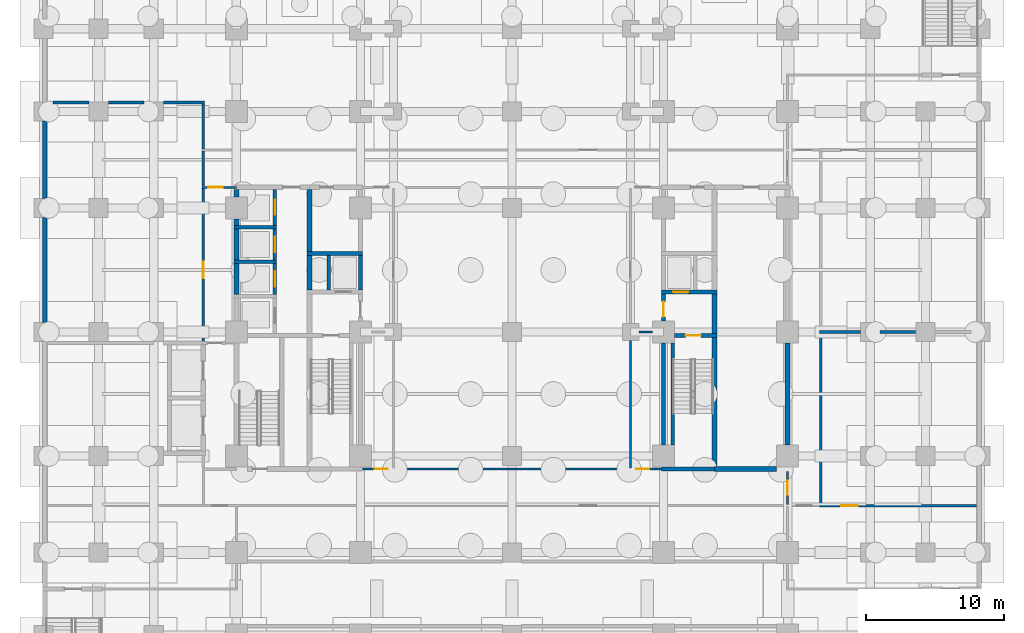
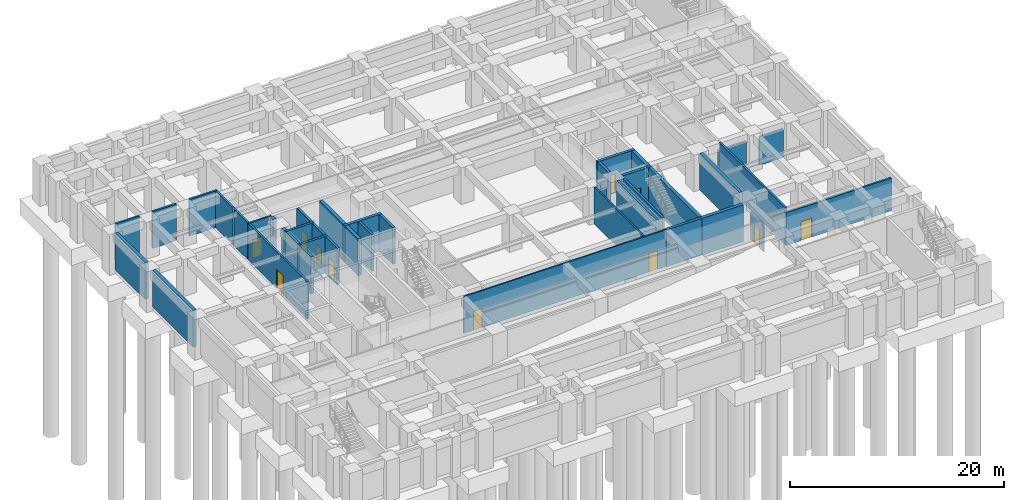
# One storey, part 7 of 16: 41 walls, 12 doors, 12 openings.
"""IFC4 building model written with IfcOpenShell, lengths in metres."""

from ifc_helpers import new_model, si_unit, direction, frame, frame_2d, origin, place, context, subcontext, project, spatial, rectangle, extrude, material, layer, layer_set, type_object, element, fill, save


model = new_model("IFC4")

# Units and contexts
model_context = context("Model", 3, precision=1e-05, world=origin(), true_north=direction((0.0, 1.0)))
body_context = subcontext(model_context, "Body", "Model", "MODEL_VIEW")
ifc_project = project(units=[si_unit("LENGTHUNIT", "METRE"), si_unit("AREAUNIT", "SQUARE_METRE"), si_unit("VOLUMEUNIT", "CUBIC_METRE"), si_unit("PLANEANGLEUNIT", "RADIAN"), si_unit("MASSUNIT", "GRAM", prefix="KILO")], contexts=[model_context])

# Site, building, storey
site_placement = place(None, origin())
site = spatial("IfcSite", under=ifc_project, at=site_placement, CompositionType="ELEMENT")
building_placement = place(site_placement, origin())
building = spatial("IfcBuilding", under=site, at=building_placement, Name="Zulmaris Gate Convention Tower", CompositionType="ELEMENT")
storey_placement = place(building_placement, frame((0.0, 0.0, -9.10009765625)))
storey = spatial("IfcBuildingStorey", under=building, at=storey_placement, Name="B2", CompositionType="ELEMENT", Elevation=-9.10009765625)

# Walls
ifc_material_1 = material(Name="Concrete C50/60", Category="concrete")
ifc_layer_1 = layer(ifc_material_1, 0.25, Name="Concrete C50/60")
ifc_layer_set_1 = layer_set([ifc_layer_1], Name="Concrete C50/60")
wall_type_1 = type_object("IfcWallType", Name="CORE-250", PredefinedType="SOLIDWALL", material=ifc_layer_set_1)
for number, where, z_axis, x_axis, name in (
    (1, (-20.175048828125, 5.10009765625, 0.0), (0.0, 0.0, 1.0), (1.0, 0.0, 0.0), "WL-B2-018"),
    (2, (-20.175048828125, 7.60009765625, 0.0), (0.0, 0.0, 1.0), (1.0, 0.0, 0.0), "WL-B2-021"),
):
    element("IfcWall", number, at=place(storey_placement, frame(where, z_axis=z_axis, x_axis=x_axis)), inside=storey, type_object=wall_type_1, Name=name, PredefinedType="SOLIDWALL", context=body_context, shape_type="SweptSolid", body=[
        extrude(rectangle(XDim=3.10009765625, YDim=0.25, at=frame_2d((1.550048828125, 0.0))), origin(), (0.0, 0.0, 1.0), 4.2001953125),
    ])

# Wall, opening, door
wall_1_placement = place(storey_placement, frame((-17.199951171875, 2.72705078125, 0.0), z_axis=(0.0, 0.0, 1.0), x_axis=(0.0, 1.0, 0.0)))
wall_1 = element("IfcWall", 3, at=wall_1_placement, inside=storey, type_object=wall_type_1, Name="WL-B2-058", PredefinedType="SOLIDWALL", context=body_context, shape_type="SweptSolid", body=[
    extrude(rectangle(XDim=2.245849609375, YDim=0.25, at=frame_2d((1.123046875, 0.0))), origin(), (0.0, 0.0, 1.0), 4.2001953125),
])
opening_1_placement = place(wall_1_placement, frame((0.572998046875, 0.0, 0.0)))
opening_1 = element("IfcOpeningElement", 4, at=opening_1_placement, cuts=wall_1, Name="Opening D-06", PredefinedType="OPENING", context=body_context, shape_type="SweptSolid", body=[
    extrude(rectangle(XDim=1.10009765625, YDim=2.199951171875, at=frame_2d((0.550048828125, 1.10009765625))), frame((0.0, 0.135009765625, 0.0), z_axis=(0.0, -1.0, 0.0), x_axis=(1.0, 0.0, 0.0)), (0.0, 0.0, 1.0), 0.27001953125),
])
ifc_material_2 = material(Name="Brushed Stainless Steel", Category="steel")
door_type_1 = type_object("IfcDoorType", Name="LD-1100", OperationType="NOTDEFINED", PredefinedType="DOOR", material=ifc_material_2)
door_1_placement = place(opening_1_placement, origin())
door_1 = element("IfcDoor", 5, at=door_1_placement, inside=storey, type_object=door_type_1, Name="B2 Lift Landing Door LP-02 12", OperationType="SLIDING_TO_LEFT", OverallHeight=2.199951171875, OverallWidth=1.10009765625, PredefinedType="DOOR", context=body_context, shape_type="SweptSolid", body=[
    extrude(rectangle(XDim=1.10009765625, YDim=2.199951171875, at=frame_2d((0.550048828125, 1.10009765625))), frame((0.0, 0.02490234375, 0.0), z_axis=(0.0, -1.0, 0.0), x_axis=(1.0, 0.0, 0.0)), (0.0, 0.0, 1.0), 0.050048828125),
])
fill(opening_1, door_1)

wall_2_placement = place(storey_placement, frame((-17.199951171875, 5.22705078125, 0.0), z_axis=(0.0, 0.0, 1.0), x_axis=(0.0, 1.0, 0.0)))
wall_2 = element("IfcWall", 6, at=wall_2_placement, inside=storey, type_object=wall_type_1, Name="WL-B2-059", PredefinedType="SOLIDWALL", context=body_context, shape_type="SweptSolid", body=[
    extrude(rectangle(XDim=2.245849609375, YDim=0.25, at=frame_2d((1.123046875, 0.0))), origin(), (0.0, 0.0, 1.0), 4.2001953125),
])
opening_2_placement = place(wall_2_placement, frame((0.572998046875, 0.0, 0.0)))
opening_2 = element("IfcOpeningElement", 7, at=opening_2_placement, cuts=wall_2, Name="Opening D-06", PredefinedType="OPENING", context=body_context, shape_type="SweptSolid", body=[
    extrude(rectangle(XDim=1.10009765625, YDim=2.199951171875, at=frame_2d((0.550048828125, 1.10009765625))), frame((0.0, 0.135009765625, 0.0), z_axis=(0.0, -1.0, 0.0), x_axis=(1.0, 0.0, 0.0)), (0.0, 0.0, 1.0), 0.27001953125),
])
door_2_placement = place(opening_2_placement, origin())
door_2 = element("IfcDoor", 8, at=door_2_placement, inside=storey, type_object=door_type_1, Name="B2 Lift Landing Door LP-03 13", OperationType="SLIDING_TO_LEFT", OverallHeight=2.199951171875, OverallWidth=1.10009765625, PredefinedType="DOOR", context=body_context, shape_type="SweptSolid", body=[
    extrude(rectangle(XDim=1.10009765625, YDim=2.199951171875, at=frame_2d((0.550048828125, 1.10009765625))), frame((0.0, 0.02490234375, 0.0), z_axis=(0.0, -1.0, 0.0), x_axis=(1.0, 0.0, 0.0)), (0.0, 0.0, 1.0), 0.050048828125),
])
fill(opening_2, door_2)

wall_3_placement = place(storey_placement, frame((-17.199951171875, 7.72705078125, 0.0), z_axis=(0.0, 0.0, 1.0), x_axis=(0.0, 1.0, 0.0)))
wall_3 = element("IfcWall", 9, at=wall_3_placement, inside=storey, type_object=wall_type_1, Name="WL-B2-060", PredefinedType="SOLIDWALL", context=body_context, shape_type="SweptSolid", body=[
    extrude(rectangle(XDim=2.595947265625, YDim=0.25, at=frame_2d((1.2978515625, 0.0))), origin(), (0.0, 0.0, 1.0), 4.2001953125),
])
opening_3_placement = place(wall_3_placement, frame((0.77294921875, 0.0, 0.0)))
opening_3 = element("IfcOpeningElement", 10, at=opening_3_placement, cuts=wall_3, Name="Opening D-06", PredefinedType="OPENING", context=body_context, shape_type="SweptSolid", body=[
    extrude(rectangle(XDim=1.10009765625, YDim=2.199951171875, at=frame_2d((0.550048828125, 1.10009765625))), frame((0.0, 0.135009765625, 0.0), z_axis=(0.0, -1.0, 0.0), x_axis=(1.0, 0.0, 0.0)), (0.0, 0.0, 1.0), 0.27001953125),
])
door_3_placement = place(opening_3_placement, origin())
door_3 = element("IfcDoor", 11, at=door_3_placement, inside=storey, type_object=door_type_1, Name="B2 Lift Landing Door LP-04 14", OperationType="SLIDING_TO_LEFT", OverallHeight=2.199951171875, OverallWidth=1.10009765625, PredefinedType="DOOR", context=body_context, shape_type="SweptSolid", body=[
    extrude(rectangle(XDim=1.10009765625, YDim=2.199951171875, at=frame_2d((0.550048828125, 1.10009765625))), frame((0.0, 0.02490234375, 0.0), z_axis=(0.0, -1.0, 0.0), x_axis=(1.0, 0.0, 0.0)), (0.0, 0.0, 1.0), 0.050048828125),
])
fill(opening_3, door_3)

# Walls
wall_4_placement = place(storey_placement, frame((-13.300048828125, 3.052001953125, 0.0), z_axis=(0.0, 0.0, 1.0), x_axis=(0.0, 1.0, 0.0)))
element("IfcWall", 12, at=wall_4_placement, inside=storey, type_object=wall_type_1, Name="WL-B2-066", PredefinedType="SOLIDWALL", context=body_context, shape_type="SweptSolid", body=[
    extrude(rectangle(XDim=2.49609375, YDim=0.25, at=frame_2d((1.248046875, 0.0))), origin(), (0.0, 0.0, 1.0), 4.2001953125),
])
wall_5_placement = place(storey_placement, frame((11.64990234375, -8.196044921875, 0.0), z_axis=(0.0, 0.0, 1.0), x_axis=(0.0, 1.0, 0.0)))
element("IfcWall", 13, at=wall_5_placement, inside=storey, type_object=wall_type_1, Name="WL-B2-076", PredefinedType="SOLIDWALL", context=body_context, shape_type="SweptSolid", body=[
    extrude(rectangle(XDim=7.39208984375, YDim=0.25, at=frame_2d((3.696044921875, 0.0))), origin(), (0.0, 0.0, 1.0), 4.2001953125),
])
ifc_layer_2 = layer(ifc_material_1, 0.300048828125, Name="Concrete C50/60")
ifc_layer_set_2 = layer_set([ifc_layer_2], Name="Concrete C50/60")
wall_type_2 = type_object("IfcWallType", Name="CORE-300", PredefinedType="SHEAR", material=ifc_layer_set_2)
wall_6_placement = place(storey_placement, frame((10.85009765625, -9.949951171875, 0.0), z_axis=(0.0, 0.0, 1.0), x_axis=(1.0, 0.0, 0.0)))
element("IfcWall", 14, at=wall_6_placement, inside=storey, type_object=wall_type_2, Name="WL-B2-008", PredefinedType="SHEAR", context=body_context, shape_type="SweptSolid", body=[
    extrude(rectangle(XDim=3.849853515625, YDim=0.300048828125, at=frame_2d((1.9248046875, 0.0))), origin(), (0.0, 0.0, 1.0), 4.2001953125),
])

# Wall, opening, door
wall_7_placement = place(storey_placement, frame((11.803955078125, -0.25, 0.0), z_axis=(0.0, 0.0, 1.0), x_axis=(1.0, 0.0, 0.0)))
wall_7 = element("IfcWall", 15, at=wall_7_placement, inside=storey, type_object=wall_type_2, Name="WL-B2-014", PredefinedType="SHEAR", context=body_context, shape_type="SweptSolid", body=[
    extrude(rectangle(XDim=3.071044921875, YDim=0.300048828125, at=frame_2d((1.53564453125, 0.0))), origin(), (0.0, 0.0, 1.0), 4.2001953125),
])
opening_4_placement = place(wall_7_placement, frame((0.7958984375, 0.0, 0.0)))
opening_4 = element("IfcOpeningElement", 16, at=opening_4_placement, cuts=wall_7, Name="Opening D-08", PredefinedType="OPENING", context=body_context, shape_type="SweptSolid", body=[
    extrude(rectangle(XDim=1.10009765625, YDim=2.14990234375, at=frame_2d((0.550048828125, 1.074951171875))), frame((0.0, 0.16015625, 0.0), z_axis=(0.0, -1.0, 0.0), x_axis=(1.0, 0.0, 0.0)), (0.0, 0.0, 1.0), 0.320068359375),
])
ifc_material_3 = material(Name="Fire-Rated Steel", Category="steel")
door_type_2 = type_object("IfcDoorType", Name="DR-1100-FD", OperationType="NOTDEFINED", PredefinedType="DOOR", material=ifc_material_3)
door_4_placement = place(opening_4_placement, origin())
door_4 = element("IfcDoor", 17, at=door_4_placement, inside=storey, type_object=door_type_2, Name="B2 Exit Stair ST-2 Door 04", OperationType="SINGLE_SWING_LEFT", OverallHeight=2.14990234375, OverallWidth=1.10009765625, PredefinedType="DOOR", context=body_context, shape_type="SweptSolid", body=[
    extrude(rectangle(XDim=1.10009765625, YDim=2.14990234375, at=frame_2d((0.550048828125, 1.074951171875))), frame((0.0, 0.02490234375, 0.0), z_axis=(0.0, -1.0, 0.0), x_axis=(1.0, 0.0, 0.0)), (0.0, 0.0, 1.0), 0.050048828125),
])
fill(opening_4, door_4)

wall_8_placement = place(storey_placement, frame((10.85009765625, 2.89990234375, 0.0), z_axis=(0.0, 0.0, 1.0), x_axis=(1.0, 0.0, 0.0)))
wall_8 = element("IfcWall", 18, at=wall_8_placement, inside=storey, type_object=wall_type_2, Name="WL-B2-017", PredefinedType="SHEAR", context=body_context, shape_type="SweptSolid", body=[
    extrude(rectangle(XDim=4.02490234375, YDim=0.300048828125, at=frame_2d((2.012451171875, 0.0))), origin(), (0.0, 0.0, 1.0), 4.2001953125),
])
opening_5_placement = place(wall_8_placement, frame((0.85009765625, 0.0, 0.0)))
opening_5 = element("IfcOpeningElement", 19, at=opening_5_placement, cuts=wall_8, Name="Opening D-06", PredefinedType="OPENING", context=body_context, shape_type="SweptSolid", body=[
    extrude(rectangle(XDim=1.10009765625, YDim=2.199951171875, at=frame_2d((0.550048828125, 1.10009765625))), frame((0.0, 0.16015625, 0.0), z_axis=(0.0, -1.0, 0.0), x_axis=(1.0, 0.0, 0.0)), (0.0, 0.0, 1.0), 0.320068359375),
])
door_5_placement = place(opening_5_placement, origin())
door_5 = element("IfcDoor", 20, at=door_5_placement, inside=storey, type_object=door_type_1, Name="B2 Lift Landing Door LF-02 06", OperationType="SLIDING_TO_RIGHT", OverallHeight=2.199951171875, OverallWidth=1.10009765625, PredefinedType="DOOR", context=body_context, shape_type="SweptSolid", body=[
    extrude(rectangle(XDim=1.10009765625, YDim=2.199951171875, at=frame_2d((0.550048828125, 1.10009765625))), frame((0.0, 0.02490234375, 0.0), z_axis=(0.0, -1.0, 0.0), x_axis=(1.0, 0.0, 0.0)), (0.0, 0.0, 1.0), 0.050048828125),
])
fill(opening_5, door_5)

# Walls
wall_9_placement = place(storey_placement, frame((-14.875, 5.699951171875, 0.0), z_axis=(0.0, 0.0, 1.0), x_axis=(1.0, 0.0, 0.0)))
element("IfcWall", 21, at=wall_9_placement, inside=storey, type_object=wall_type_2, Name="WL-B2-019", PredefinedType="SHEAR", context=body_context, shape_type="SweptSolid", body=[
    extrude(rectangle(XDim=4.02490234375, YDim=0.300048828125, at=frame_2d((2.012451171875, 0.0))), origin(), (0.0, 0.0, 1.0), 4.2001953125),
])
wall_10_placement = place(storey_placement, frame((-11.0, 3.052001953125, 0.0), z_axis=(0.0, 0.0, 1.0), x_axis=(0.0, 1.0, 0.0)))
element("IfcWall", 22, at=wall_10_placement, inside=storey, type_object=wall_type_2, Name="WL-B2-070", PredefinedType="SHEAR", context=body_context, shape_type="SweptSolid", body=[
    extrude(rectangle(XDim=2.49609375, YDim=0.300048828125, at=frame_2d((1.248046875, 0.0))), origin(), (0.0, 0.0, 1.0), 4.2001953125),
])
wall_11_placement = place(storey_placement, frame((11.0, -8.196044921875, 0.0), z_axis=(0.0, 0.0, 1.0), x_axis=(0.0, 1.0, 0.0)))
element("IfcWall", 23, at=wall_11_placement, inside=storey, type_object=wall_type_2, Name="WL-B2-072", PredefinedType="SHEAR", context=body_context, shape_type="SweptSolid", body=[
    extrude(rectangle(XDim=7.39208984375, YDim=0.300048828125, at=frame_2d((3.696044921875, 0.0))), origin(), (0.0, 0.0, 1.0), 4.2001953125),
])

# Wall, opening, door
wall_12_placement = place(storey_placement, frame((11.0, 0.803955078125, 0.0), z_axis=(0.0, 0.0, 1.0), x_axis=(0.0, 1.0, 0.0)))
wall_12 = element("IfcWall", 24, at=wall_12_placement, inside=storey, type_object=wall_type_2, Name="WL-B2-073", PredefinedType="SHEAR", context=body_context, shape_type="SweptSolid", body=[
    extrude(rectangle(XDim=1.944091796875, YDim=0.300048828125, at=frame_2d((0.97216796875, 0.0))), origin(), (0.0, 0.0, 1.0), 4.2001953125),
])
opening_6_placement = place(wall_12_placement, frame((0.2958984375, 0.0, 0.0)))
opening_6 = element("IfcOpeningElement", 25, at=opening_6_placement, cuts=wall_12, Name="Opening D-08", PredefinedType="OPENING", context=body_context, shape_type="SweptSolid", body=[
    extrude(rectangle(XDim=1.10009765625, YDim=2.14990234375, at=frame_2d((0.550048828125, 1.074951171875))), frame((0.0, 0.16015625, 0.0), z_axis=(0.0, -1.0, 0.0), x_axis=(1.0, 0.0, 0.0)), (0.0, 0.0, 1.0), 0.320068359375),
])
door_6_placement = place(opening_6_placement, origin())
door_6 = element("IfcDoor", 26, at=door_6_placement, inside=storey, type_object=door_type_2, Name="B2 East Firefighting Lobby Door 05", OperationType="SINGLE_SWING_RIGHT", OverallHeight=2.14990234375, OverallWidth=1.10009765625, PredefinedType="DOOR", context=body_context, shape_type="SweptSolid", body=[
    extrude(rectangle(XDim=1.10009765625, YDim=2.14990234375, at=frame_2d((0.550048828125, 1.074951171875))), frame((0.0, 0.02490234375, 0.0), z_axis=(0.0, -1.0, 0.0), x_axis=(1.0, 0.0, 0.0)), (0.0, 0.0, 1.0), 0.050048828125),
])
fill(opening_6, door_6)

# Walls
ifc_material_4 = material(Name="Concrete C55/67", Category="concrete")
ifc_layer_3 = layer(ifc_material_4, 0.35009765625, Name="Concrete C55/67")
ifc_layer_set_3 = layer_set([ifc_layer_3], Name="Concrete C55/67")
wall_type_3 = type_object("IfcWallType", Name="CORE-350", PredefinedType="SHEAR", material=ifc_layer_set_3)
wall_13_placement = place(storey_placement, frame((14.699951171875, -9.949951171875, 0.0), z_axis=(0.0, 0.0, 1.0), x_axis=(1.0, 0.0, 0.0)))
element("IfcWall", 27, at=wall_13_placement, inside=storey, type_object=wall_type_3, Name="WL-B2-009", PredefinedType="SHEAR", context=body_context, shape_type="SweptSolid", body=[
    extrude(rectangle(XDim=4.49609375, YDim=0.35009765625, at=frame_2d((2.248046875, 0.0))), origin(), (0.0, 0.0, 1.0), 4.2001953125),
])
wall_14_placement = place(storey_placement, frame((-33.89990234375, 0.7041015625, 0.0), z_axis=(0.0, 0.0, 1.0), x_axis=(0.0, 1.0, 0.0)))
element("IfcWall", 28, at=wall_14_placement, inside=storey, type_object=wall_type_3, Name="WL-B2-046S3", PredefinedType="SHEAR", context=body_context, shape_type="SweptSolid", body=[
    extrude(rectangle(XDim=7.591796875, YDim=0.35009765625, at=frame_2d((3.7958984375, 0.0))), origin(), (0.0, 0.0, 1.0), 4.2001953125),
])
wall_15_placement = place(storey_placement, frame((-33.89990234375, 9.7041015625, 0.0), z_axis=(0.0, 0.0, 1.0), x_axis=(0.0, 1.0, 0.0)))
element("IfcWall", 29, at=wall_15_placement, inside=storey, type_object=wall_type_3, Name="WL-B2-046S4", PredefinedType="SHEAR", context=body_context, shape_type="SweptSolid", body=[
    extrude(rectangle(XDim=5.591796875, YDim=0.35009765625, at=frame_2d((2.7958984375, 0.0))), origin(), (0.0, 0.0, 1.0), 4.2001953125),
])
for number, where, z_axis, x_axis, name in (
    (30, (-20.0, 2.72705078125, 0.0), (0.0, 0.0, 1.0), (0.0, 1.0, 0.0), "WL-B2-054"),
    (31, (-20.0, 5.22705078125, 0.0), (0.0, 0.0, 1.0), (0.0, 1.0, 0.0), "WL-B2-055"),
):
    element("IfcWall", number, at=place(storey_placement, frame(where, z_axis=z_axis, x_axis=x_axis)), inside=storey, type_object=wall_type_3, Name=name, PredefinedType="SHEAR", context=body_context, shape_type="SweptSolid", body=[
        extrude(rectangle(XDim=2.245849609375, YDim=0.35009765625, at=frame_2d((1.123046875, 0.0))), origin(), (0.0, 0.0, 1.0), 4.2001953125),
    ])
wall_16_placement = place(storey_placement, frame((-20.0, 7.72705078125, 0.0), z_axis=(0.0, 0.0, 1.0), x_axis=(0.0, 1.0, 0.0)))
element("IfcWall", 32, at=wall_16_placement, inside=storey, type_object=wall_type_3, Name="WL-B2-056", PredefinedType="SHEAR", context=body_context, shape_type="SweptSolid", body=[
    extrude(rectangle(XDim=0.468994140625, YDim=0.35009765625, at=frame_2d((0.234375, 0.0))), origin(), (0.0, 0.0, 1.0), 4.2001953125),
])
wall_17_placement = place(storey_placement, frame((-20.0, 9.803955078125, 0.0), z_axis=(0.0, 0.0, 1.0), x_axis=(0.0, 1.0, 0.0)))
element("IfcWall", 33, at=wall_17_placement, inside=storey, type_object=wall_type_3, Name="WL-B2-056S1", PredefinedType="SHEAR", context=body_context, shape_type="SweptSolid", body=[
    extrude(rectangle(XDim=0.51904296875, YDim=0.35009765625, at=frame_2d((0.259521484375, 0.0))), origin(), (0.0, 0.0, 1.0), 4.2001953125),
])
wall_18_placement = place(storey_placement, frame((-14.699951171875, 3.052001953125, 0.0), z_axis=(0.0, 0.0, 1.0), x_axis=(0.0, 1.0, 0.0)))
element("IfcWall", 34, at=wall_18_placement, inside=storey, type_object=wall_type_3, Name="WL-B2-064", PredefinedType="SHEAR", context=body_context, shape_type="SweptSolid", body=[
    extrude(rectangle(XDim=2.49609375, YDim=0.35009765625, at=frame_2d((1.248046875, 0.0))), origin(), (0.0, 0.0, 1.0), 4.2001953125),
])
wall_19_placement = place(storey_placement, frame((-14.699951171875, 5.85205078125, 0.0), z_axis=(0.0, 0.0, 1.0), x_axis=(0.0, 1.0, 0.0)))
element("IfcWall", 35, at=wall_19_placement, inside=storey, type_object=wall_type_3, Name="WL-B2-065", PredefinedType="SHEAR", context=body_context, shape_type="SweptSolid", body=[
    extrude(rectangle(XDim=4.470947265625, YDim=0.35009765625, at=frame_2d((2.2353515625, 0.0))), origin(), (0.0, 0.0, 1.0), 4.2001953125),
])
wall_20_placement = place(storey_placement, frame((14.699951171875, -9.77294921875, 0.0), z_axis=(0.0, 0.0, 1.0), x_axis=(0.0, 1.0, 0.0)))
element("IfcWall", 36, at=wall_20_placement, inside=storey, type_object=wall_type_3, Name="WL-B2-078", PredefinedType="SHEAR", context=body_context, shape_type="SweptSolid", body=[
    extrude(rectangle(XDim=9.370849609375, YDim=0.35009765625, at=frame_2d((4.685546875, 0.0))), origin(), (0.0, 0.0, 1.0), 4.2001953125),
])
wall_21_placement = place(storey_placement, frame((14.699951171875, -0.097900390625, 0.0), z_axis=(0.0, 0.0, 1.0), x_axis=(0.0, 1.0, 0.0)))
element("IfcWall", 37, at=wall_21_placement, inside=storey, type_object=wall_type_3, Name="WL-B2-079", PredefinedType="SHEAR", context=body_context, shape_type="SweptSolid", body=[
    extrude(rectangle(XDim=2.845947265625, YDim=0.35009765625, at=frame_2d((1.4228515625, 0.0))), origin(), (0.0, 0.0, 1.0), 4.2001953125),
])
wall_22_placement = place(storey_placement, frame((20.0, -8.196044921875, 0.0), z_axis=(0.0, 0.0, 1.0), x_axis=(0.0, 1.0, 0.0)))
element("IfcWall", 38, at=wall_22_placement, inside=storey, type_object=wall_type_3, Name="WL-B2-082", PredefinedType="SHEAR", context=body_context, shape_type="SweptSolid", body=[
    extrude(rectangle(XDim=7.39208984375, YDim=0.35009765625, at=frame_2d((3.696044921875, 0.0))), origin(), (0.0, 0.0, 1.0), 4.2001953125),
])

# Wall, openings, doors
ifc_material_5 = material(Name="Gypsum Metal Stud Partition")
ifc_layer_4 = layer(ifc_material_5, 0.14990234375, Name="Gypsum Metal Stud Partition")
ifc_layer_set_4 = layer_set([ifc_layer_4], Name="Gypsum Metal Stud Partition")
wall_type_4 = type_object("IfcWallType", Name="PART-150", PredefinedType="PARTITIONING", material=ifc_layer_set_4)
wall_23_placement = place(storey_placement, frame((-11.0, -9.949951171875, 0.0), z_axis=(0.0, 0.0, 1.0), x_axis=(1.0, 0.0, 0.0)))
wall_23 = element("IfcWall", 39, at=wall_23_placement, inside=storey, type_object=wall_type_4, Name="WL-B2-033", PredefinedType="PARTITIONING", context=body_context, shape_type="SweptSolid", body=[
    extrude(rectangle(XDim=22.0, YDim=0.14990234375, at=frame_2d((11.0, 0.0))), origin(), (0.0, 0.0, 1.0), 4.2001953125),
])
opening_7_placement = place(wall_23_placement, frame((1.044921875, 0.0, 0.0)))
opening_7 = element("IfcOpeningElement", 40, at=opening_7_placement, cuts=wall_23, Name="Opening D-11", PredefinedType="OPENING", context=body_context, shape_type="SweptSolid", body=[
    extrude(rectangle(XDim=0.949951171875, YDim=2.14990234375, at=frame_2d((0.47509765625, 1.074951171875))), frame((0.0, 0.0849609375, 0.0), z_axis=(0.0, -1.0, 0.0), x_axis=(1.0, 0.0, 0.0)), (0.0, 0.0, 1.0), 0.169921875),
])
opening_8_placement = place(wall_23_placement, frame((20.0048828125, 0.0, 0.0)))
opening_8 = element("IfcOpeningElement", 41, at=opening_8_placement, cuts=wall_23, Name="Opening D-11", PredefinedType="OPENING", context=body_context, shape_type="SweptSolid", body=[
    extrude(rectangle(XDim=0.949951171875, YDim=2.14990234375, at=frame_2d((0.47509765625, 1.074951171875))), frame((0.0, 0.0849609375, 0.0), z_axis=(0.0, -1.0, 0.0), x_axis=(1.0, 0.0, 0.0)), (0.0, 0.0, 1.0), 0.169921875),
])
ifc_material_6 = material(Name="Fire-Rated Timber", Category="wood")
door_type_3 = type_object("IfcDoorType", Name="DR-950-FD", OperationType="NOTDEFINED", PredefinedType="DOOR", material=ifc_material_6)
door_7_placement = place(opening_7_placement, origin())
door_7 = element("IfcDoor", 42, at=door_7_placement, inside=storey, type_object=door_type_3, Name="B2 SW Core Store Door 23", OperationType="SINGLE_SWING_LEFT", OverallHeight=2.14990234375, OverallWidth=0.949951171875, PredefinedType="DOOR", context=body_context, shape_type="SweptSolid", body=[
    extrude(rectangle(XDim=0.949951171875, YDim=2.14990234375, at=frame_2d((0.47509765625, 1.074951171875))), frame((0.0, 0.02490234375, 0.0), z_axis=(0.0, -1.0, 0.0), x_axis=(1.0, 0.0, 0.0)), (0.0, 0.0, 1.0), 0.050048828125),
])
fill(opening_7, door_7)
door_8_placement = place(opening_8_placement, origin())
door_8 = element("IfcDoor", 43, at=door_8_placement, inside=storey, type_object=door_type_3, Name="B2 SE Core Store Door 25", OperationType="SINGLE_SWING_LEFT", OverallHeight=2.14990234375, OverallWidth=0.949951171875, PredefinedType="DOOR", context=body_context, shape_type="SweptSolid", body=[
    extrude(rectangle(XDim=0.949951171875, YDim=2.14990234375, at=frame_2d((0.47509765625, 1.074951171875))), frame((0.0, 0.02490234375, 0.0), z_axis=(0.0, -1.0, 0.0), x_axis=(1.0, 0.0, 0.0)), (0.0, 0.0, 1.0), 0.050048828125),
])
fill(opening_8, door_8)

# Wall
wall_24_placement = place(storey_placement, frame((9.2060546875, 0.0, 0.0), z_axis=(0.0, 0.0, 1.0), x_axis=(1.0, 0.0, 0.0)))
element("IfcWall", 44, at=wall_24_placement, inside=storey, type_object=wall_type_4, Name="WL-B2-037", PredefinedType="PARTITIONING", context=body_context, shape_type="SweptSolid", body=[
    extrude(rectangle(XDim=0.988037109375, YDim=0.14990234375, at=frame_2d((0.494140625, 0.0))), origin(), (0.0, 0.0, 1.0), 3.2421875),
])

# Wall, opening, door
wall_25_placement = place(storey_placement, frame((-22.5, 10.5, 0.0), z_axis=(0.0, 0.0, 1.0), x_axis=(1.0, 0.0, 0.0)))
wall_25 = element("IfcWall", 45, at=wall_25_placement, inside=storey, type_object=wall_type_4, Name="WL-B2-039", PredefinedType="PARTITIONING", context=body_context, shape_type="SweptSolid", body=[
    extrude(rectangle(XDim=2.5, YDim=0.14990234375, at=frame_2d((1.25, 0.0))), origin(), (0.0, 0.0, 1.0), 4.2001953125),
])
opening_9_placement = place(wall_25_placement, frame((0.455078125, 0.0, 0.0)))
opening_9 = element("IfcOpeningElement", 46, at=opening_9_placement, cuts=wall_25, Name="Opening D-09", PredefinedType="OPENING", context=body_context, shape_type="SweptSolid", body=[
    extrude(rectangle(XDim=1.050048828125, YDim=2.14990234375, at=frame_2d((0.52490234375, 1.074951171875))), frame((0.0, 0.0849609375, 0.0), z_axis=(0.0, -1.0, 0.0), x_axis=(1.0, 0.0, 0.0)), (0.0, 0.0, 1.0), 0.169921875),
])
door_type_4 = type_object("IfcDoorType", Name="DR-1050-FD", OperationType="NOTDEFINED", PredefinedType="DOOR", material=ifc_material_3)
door_9_placement = place(opening_9_placement, origin())
door_9 = element("IfcDoor", 47, at=door_9_placement, inside=storey, type_object=door_type_4, Name="B2 West Passage North Link Door 26", OperationType="SINGLE_SWING_RIGHT", OverallHeight=2.14990234375, OverallWidth=1.050048828125, PredefinedType="DOOR", context=body_context, shape_type="SweptSolid", body=[
    extrude(rectangle(XDim=1.050048828125, YDim=2.14990234375, at=frame_2d((0.52490234375, 1.074951171875))), frame((0.0, 0.02490234375, 0.0), z_axis=(0.0, -1.0, 0.0), x_axis=(1.0, 0.0, 0.0)), (0.0, 0.0, 1.0), 0.050048828125),
])
fill(opening_9, door_9)

# Wall
wall_26_placement = place(storey_placement, frame((8.60009765625, -9.8720703125, 0.0), z_axis=(0.0, 0.0, 1.0), x_axis=(0.0, 1.0, 0.0)))
element("IfcWall", 48, at=wall_26_placement, inside=storey, type_object=wall_type_4, Name="WL-B2-097", PredefinedType="PARTITIONING", context=body_context, shape_type="SweptSolid", body=[
    extrude(rectangle(XDim=9.26611328125, YDim=0.14990234375, at=frame_2d((4.633056640625, 0.0))), origin(), (0.0, 0.0, 1.0), 4.2001953125),
])

# Wall, opening, door
wall_27_placement = place(storey_placement, frame((20.0, -12.52197265625, 0.0), z_axis=(0.0, 0.0, 1.0), x_axis=(0.0, 1.0, 0.0)))
wall_27 = element("IfcWall", 49, at=wall_27_placement, inside=storey, type_object=wall_type_4, Name="WL-B2-101", PredefinedType="PARTITIONING", context=body_context, shape_type="SweptSolid", body=[
    extrude(rectangle(XDim=2.39404296875, YDim=0.14990234375, at=frame_2d((1.197021484375, 0.0))), origin(), (0.0, 0.0, 1.0), 3.2421875),
])
opening_10_placement = place(wall_27_placement, frame((0.697021484375, 0.0, 0.0)))
opening_10 = element("IfcOpeningElement", 50, at=opening_10_placement, cuts=wall_27, Name="Opening D-09", PredefinedType="OPENING", context=body_context, shape_type="SweptSolid", body=[
    extrude(rectangle(XDim=1.050048828125, YDim=2.14990234375, at=frame_2d((0.52490234375, 1.074951171875))), frame((0.0, 0.0849609375, 0.0), z_axis=(0.0, -1.0, 0.0), x_axis=(1.0, 0.0, 0.0)), (0.0, 0.0, 1.0), 0.169921875),
])
door_10_placement = place(opening_10_placement, origin())
door_10 = element("IfcDoor", 51, at=door_10_placement, inside=storey, type_object=door_type_4, Name="B2 East Passage South Core Door 29", OperationType="SINGLE_SWING_LEFT", OverallHeight=2.14990234375, OverallWidth=1.050048828125, PredefinedType="DOOR", context=body_context, shape_type="SweptSolid", body=[
    extrude(rectangle(XDim=1.050048828125, YDim=2.14990234375, at=frame_2d((0.52490234375, 1.074951171875))), frame((0.0, 0.02490234375, 0.0), z_axis=(0.0, -1.0, 0.0), x_axis=(1.0, 0.0, 0.0)), (0.0, 0.0, 1.0), 0.050048828125),
])
fill(opening_10, door_10)

ifc_material_7 = material(Name="Autoclaved Aerated Concrete Block and Plasterboard", Category="concrete")
ifc_layer_5 = layer(ifc_material_7, 0.199951171875, Name="Autoclaved Aerated Concrete Block and Plasterboard")
ifc_layer_set_5 = layer_set([ifc_layer_5], Name="Autoclaved Aerated Concrete Block and Plasterboard")
wall_type_5 = type_object("IfcWallType", Name="PART-200", PredefinedType="PARTITIONING", material=ifc_layer_set_5)
wall_28_placement = place(storey_placement, frame((22.300048828125, -12.60009765625, 0.0), z_axis=(0.0, 0.0, 1.0), x_axis=(1.0, 0.0, 0.0)))
wall_28 = element("IfcWall", 52, at=wall_28_placement, inside=storey, type_object=wall_type_5, Name="WL-B2-031", PredefinedType="PARTITIONING", context=body_context, shape_type="SweptSolid", body=[
    extrude(rectangle(XDim=11.421875, YDim=0.199951171875, at=frame_2d((5.7109375, 0.0))), origin(), (0.0, 0.0, 1.0), 3.739990234375),
])
opening_11_placement = place(wall_28_placement, frame((1.60009765625, 0.0, 0.0)))
opening_11 = element("IfcOpeningElement", 53, at=opening_11_placement, cuts=wall_28, Name="Opening D-13", PredefinedType="OPENING", context=body_context, shape_type="SweptSolid", body=[
    extrude(rectangle(XDim=1.199951171875, YDim=2.14990234375, at=frame_2d((0.60009765625, 1.074951171875))), frame((0.0, 0.10986328125, 0.0), z_axis=(0.0, -1.0, 0.0), x_axis=(1.0, 0.0, 0.0)), (0.0, 0.0, 1.0), 0.219970703125),
])
door_type_5 = type_object("IfcDoorType", Name="DR-1200-FD", OperationType="NOTDEFINED", PredefinedType="DOOR", material=ifc_material_3)
door_11_placement = place(opening_11_placement, origin())
door_11 = element("IfcDoor", 54, at=door_11_placement, inside=storey, type_object=door_type_5, Name="B2 Sprinkler Tank Plant Door 38", OperationType="SINGLE_SWING_RIGHT", OverallHeight=2.14990234375, OverallWidth=1.199951171875, PredefinedType="DOOR", context=body_context, shape_type="SweptSolid", body=[
    extrude(rectangle(XDim=1.199951171875, YDim=2.14990234375, at=frame_2d((0.60009765625, 1.074951171875))), frame((0.0, 0.02490234375, 0.0), z_axis=(0.0, -1.0, 0.0), x_axis=(1.0, 0.0, 0.0)), (0.0, 0.0, 1.0), 0.050048828125),
])
fill(opening_11, door_11)

# Walls
wall_29_placement = place(storey_placement, frame((22.300048828125, 0.0, 0.0), z_axis=(0.0, 0.0, 1.0), x_axis=(1.0, 0.0, 0.0)))
element("IfcWall", 55, at=wall_29_placement, inside=storey, type_object=wall_type_5, Name="WL-B2-038", PredefinedType="PARTITIONING", context=body_context, shape_type="SweptSolid", body=[
    extrude(rectangle(XDim=2.993896484375, YDim=0.199951171875, at=frame_2d((1.4970703125, 0.0))), origin(), (0.0, 0.0, 1.0), 3.2421875),
])
wall_30_placement = place(storey_placement, frame((26.7060546875, 0.0, 0.0), z_axis=(0.0, 0.0, 1.0), x_axis=(1.0, 0.0, 0.0)))
element("IfcWall", 56, at=wall_30_placement, inside=storey, type_object=wall_type_5, Name="WL-B2-038S1", PredefinedType="PARTITIONING", context=body_context, shape_type="SweptSolid", body=[
    extrude(rectangle(XDim=2.587890625, YDim=0.199951171875, at=frame_2d((1.2939453125, 0.0))), origin(), (0.0, 0.0, 1.0), 3.2421875),
])
for number, where, z_axis, x_axis, name in (
    (57, (-33.2939453125, 16.64990234375, 0.0), (0.0, 0.0, 1.0), (1.0, 0.0, 0.0), "WL-B2-043"),
    (58, (-29.2939453125, 16.64990234375, 0.0), (0.0, 0.0, 1.0), (1.0, 0.0, 0.0), "WL-B2-043S1"),
):
    element("IfcWall", number, at=place(storey_placement, frame(where, z_axis=z_axis, x_axis=x_axis)), inside=storey, type_object=wall_type_5, Name=name, PredefinedType="PARTITIONING", context=body_context, shape_type="SweptSolid", body=[
        extrude(rectangle(XDim=2.587890625, YDim=0.199951171875, at=frame_2d((1.2939453125, 0.0))), origin(), (0.0, 0.0, 1.0), 4.2001953125),
    ])
wall_31_placement = place(storey_placement, frame((-25.2939453125, 16.64990234375, 0.0), z_axis=(0.0, 0.0, 1.0), x_axis=(1.0, 0.0, 0.0)))
element("IfcWall", 59, at=wall_31_placement, inside=storey, type_object=wall_type_5, Name="WL-B2-043S2", PredefinedType="PARTITIONING", context=body_context, shape_type="SweptSolid", body=[
    extrude(rectangle(XDim=2.993896484375, YDim=0.199951171875, at=frame_2d((1.4970703125, 0.0))), origin(), (0.0, 0.0, 1.0), 4.2001953125),
])

# Wall, opening, door
wall_32_placement = place(storey_placement, frame((-22.39990234375, -0.64697265625, 0.0), z_axis=(0.0, 0.0, 1.0), x_axis=(0.0, 1.0, 0.0)))
wall_32 = element("IfcWall", 60, at=wall_32_placement, inside=storey, type_object=wall_type_5, Name="WL-B2-090", PredefinedType="PARTITIONING", context=body_context, shape_type="SweptSolid", body=[
    extrude(rectangle(XDim=11.069091796875, YDim=0.199951171875, at=frame_2d((5.53466796875, 0.0))), origin(), (0.0, 0.0, 1.0), 4.2001953125),
])
opening_12_placement = place(wall_32_placement, frame((4.547119140625, 0.0, 0.0)))
opening_12 = element("IfcOpeningElement", 61, at=opening_12_placement, cuts=wall_32, Name="Opening D-13", PredefinedType="OPENING", context=body_context, shape_type="SweptSolid", body=[
    extrude(rectangle(XDim=1.199951171875, YDim=2.14990234375, at=frame_2d((0.60009765625, 1.074951171875))), frame((0.0, 0.10986328125, 0.0), z_axis=(0.0, -1.0, 0.0), x_axis=(1.0, 0.0, 0.0)), (0.0, 0.0, 1.0), 0.219970703125),
])
door_12_placement = place(opening_12_placement, origin())
door_12 = element("IfcDoor", 62, at=door_12_placement, inside=storey, type_object=door_type_5, Name="B2 Chilled Water Plant Door 36", OperationType="SINGLE_SWING_RIGHT", OverallHeight=2.14990234375, OverallWidth=1.199951171875, PredefinedType="DOOR", context=body_context, shape_type="SweptSolid", body=[
    extrude(rectangle(XDim=1.199951171875, YDim=2.14990234375, at=frame_2d((0.60009765625, 1.074951171875))), frame((0.0, 0.02490234375, 0.0), z_axis=(0.0, -1.0, 0.0), x_axis=(1.0, 0.0, 0.0)), (0.0, 0.0, 1.0), 0.050048828125),
])
fill(opening_12, door_12)

# Walls
wall_33_placement = place(storey_placement, frame((-22.39990234375, 10.577880859375, 0.0), z_axis=(0.0, 0.0, 1.0), x_axis=(0.0, 1.0, 0.0)))
element("IfcWall", 63, at=wall_33_placement, inside=storey, type_object=wall_type_5, Name="WL-B2-091", PredefinedType="PARTITIONING", context=body_context, shape_type="SweptSolid", body=[
    extrude(rectangle(XDim=2.544189453125, YDim=0.199951171875, at=frame_2d((1.27197265625, 0.0))), origin(), (0.0, 0.0, 1.0), 4.2001953125),
])
wall_34_placement = place(storey_placement, frame((-22.39990234375, 13.278076171875, 0.0), z_axis=(0.0, 0.0, 1.0), x_axis=(0.0, 1.0, 0.0)))
element("IfcWall", 64, at=wall_34_placement, inside=storey, type_object=wall_type_5, Name="WL-B2-092", PredefinedType="PARTITIONING", context=body_context, shape_type="SweptSolid", body=[
    extrude(rectangle(XDim=3.26904296875, YDim=0.199951171875, at=frame_2d((1.634521484375, 0.0))), origin(), (0.0, 0.0, 1.0), 4.2001953125),
])
wall_35_placement = place(storey_placement, frame((22.39990234375, -12.4970703125, 0.0), z_axis=(0.0, 0.0, 1.0), x_axis=(0.0, 1.0, 0.0)))
element("IfcWall", 65, at=wall_35_placement, inside=storey, type_object=wall_type_5, Name="WL-B2-104", PredefinedType="PARTITIONING", context=body_context, shape_type="SweptSolid", body=[
    extrude(rectangle(XDim=12.39404296875, YDim=0.199951171875, at=frame_2d((6.197021484375, 0.0))), origin(), (0.0, 0.0, 1.0), 4.2001953125),
])

save(model, "model.ifc")
